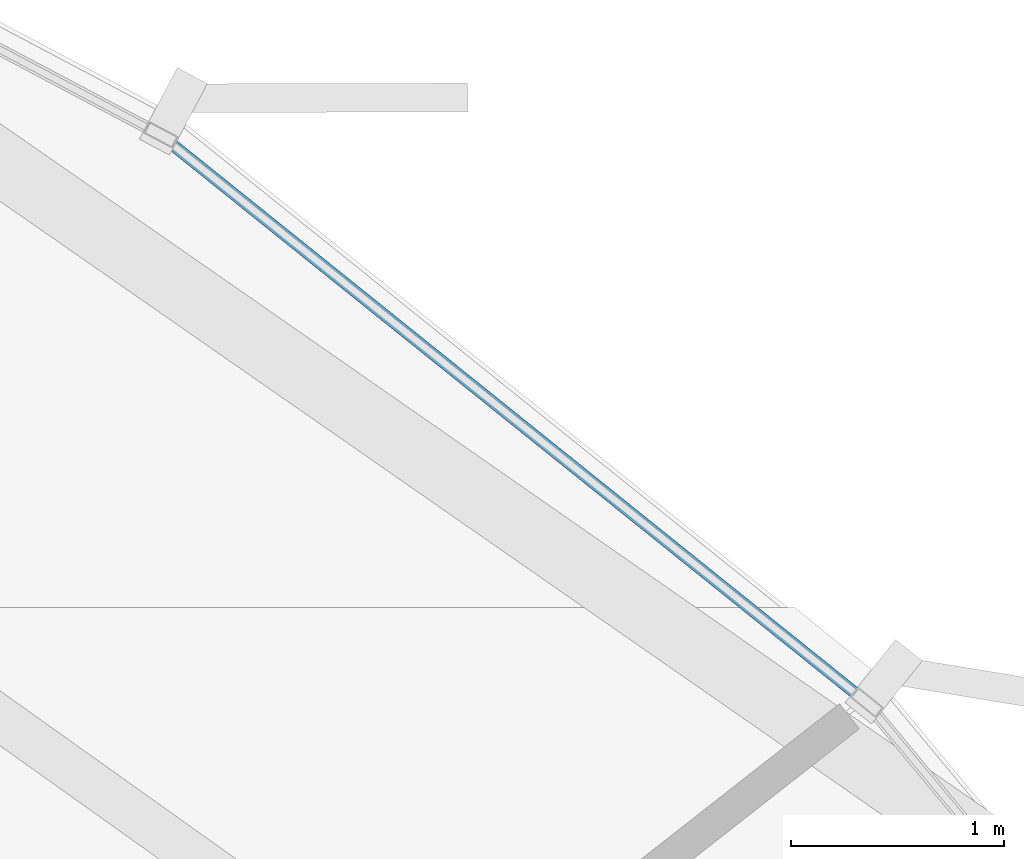
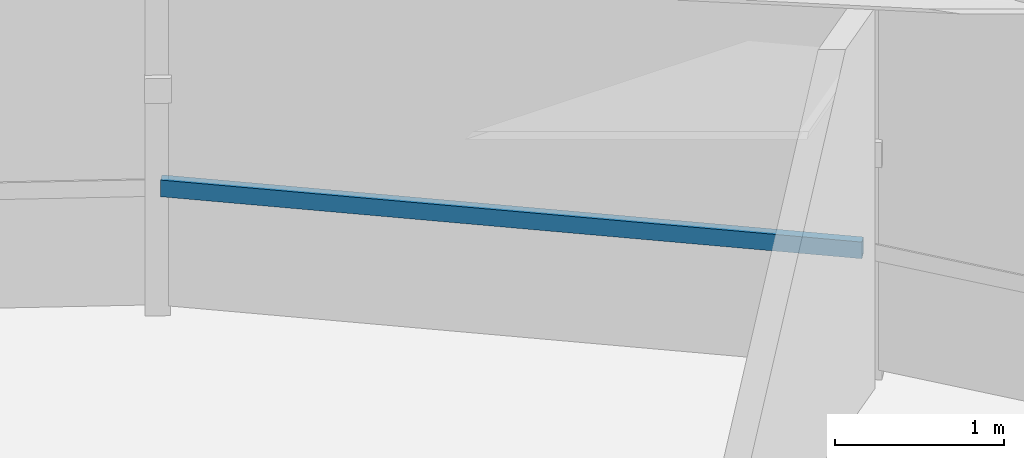
# One storey, part 26 of 35: 1 member, 1 element without a shape of its own.
"""IFC4 building model written with IfcOpenShell, lengths in metres."""

from ifc_helpers import new_model, si_unit, direction, frame, origin, origin_2d, place, context, subcontext, project, spatial, hollow_rectangle, extrude, source, transform, mapped, material, layer, layer_set, material_profile, profile_set, type_object, element, aggregate, save


model = new_model("IFC4")

# Units and contexts
model_context = context("Model", 3, precision=1e-05, world=origin(), true_north=direction((0.0, 1.0)))
body_context = subcontext(model_context, "Body", "Model", "MODEL_VIEW")
ifc_project = project(units=[si_unit("LENGTHUNIT", "METRE"), si_unit("AREAUNIT", "SQUARE_METRE"), si_unit("VOLUMEUNIT", "CUBIC_METRE"), si_unit("PLANEANGLEUNIT", "RADIAN"), si_unit("MASSUNIT", "GRAM", prefix="KILO"), si_unit("THERMODYNAMICTEMPERATUREUNIT", "KELVIN")], contexts=[model_context])

# Site, building, storey
site_placement = place(None, origin())
site = spatial("IfcSite", under=ifc_project, at=site_placement, CompositionType="ELEMENT")
building_placement = place(site_placement, origin())
building = spatial("IfcBuilding", under=site, at=building_placement, Name="Kethvar Cultural Tower", CompositionType="ELEMENT")
storey_placement = place(building_placement, frame((0.0, 0.0, 121.60009765625)))
storey = spatial("IfcBuildingStorey", under=building, at=storey_placement, Name="L30", CompositionType="ELEMENT", Elevation=121.60009765625)

# Curtain wall, member
ifc_material = material(Name="Aluminium 6063-T6", Category="aluminium")
ifc_layer = layer(ifc_material, 0.179931640625, Name="Aluminium 6063-T6", Category="aluminium")
ifc_layer_set = layer_set([ifc_layer], Name="Aluminium 6063-T6 (180 mm)")
curtain_wall_type = type_object("IfcCurtainWallType", Name="CW-SYS-03-Z2", PredefinedType="NOTDEFINED", material=ifc_layer_set)
curtain_wall_placement = place(storey_placement, origin())
curtain_wall = element("IfcCurtainWall", 1, at=curtain_wall_placement, inside=storey, type_object=curtain_wall_type, Name="L30 Curtain Wall Run 01", PredefinedType="NOTDEFINED")
ifc_material_profile = material_profile(ifc_material, hollow_rectangle(XDim=0.054931640625, YDim=0.1201171875, WallThickness=0.00390625, at=origin_2d()), Name="Aluminium 6063-T6 — RHS120x55x4")
ifc_profile_set = profile_set([ifc_material_profile], Name="Aluminium 6063-T6 — RHS120x55x4")
member_type = type_object("IfcMemberType", Name="CW-SYS-03-Z2-TRN", PredefinedType="USERDEFINED", material=ifc_profile_set)
shared_shape = source(origin(), body_context, "Body", "SweptSolid", [
    extrude(hollow_rectangle(XDim=0.054931640625, YDim=0.1201171875, WallThickness=0.00390625, at=origin_2d()), origin(), (0.0, 0.0, 1.0), 4.1904296875),
])
member_placement = place(storey_placement, frame((68.811279296875, 45.150390625, 0.949951171875), z_axis=(-0.779662327578, 0.626200171634, 0.0), x_axis=(-0.626200171634, -0.779662327578, 0.0)))
member = element("IfcMember", 2, at=member_placement, type_object=member_type, Name="CW-L30-R01 Transom 3", ObjectType="TRANSOM", PredefinedType="USERDEFINED", context=body_context, shape_type="MappedRepresentation", body=[
    mapped(shared_shape, transform((0.0, 0.0, 0.0), scale=1.0)),
])
aggregate(curtain_wall, [member])

save(model, "model.ifc")
